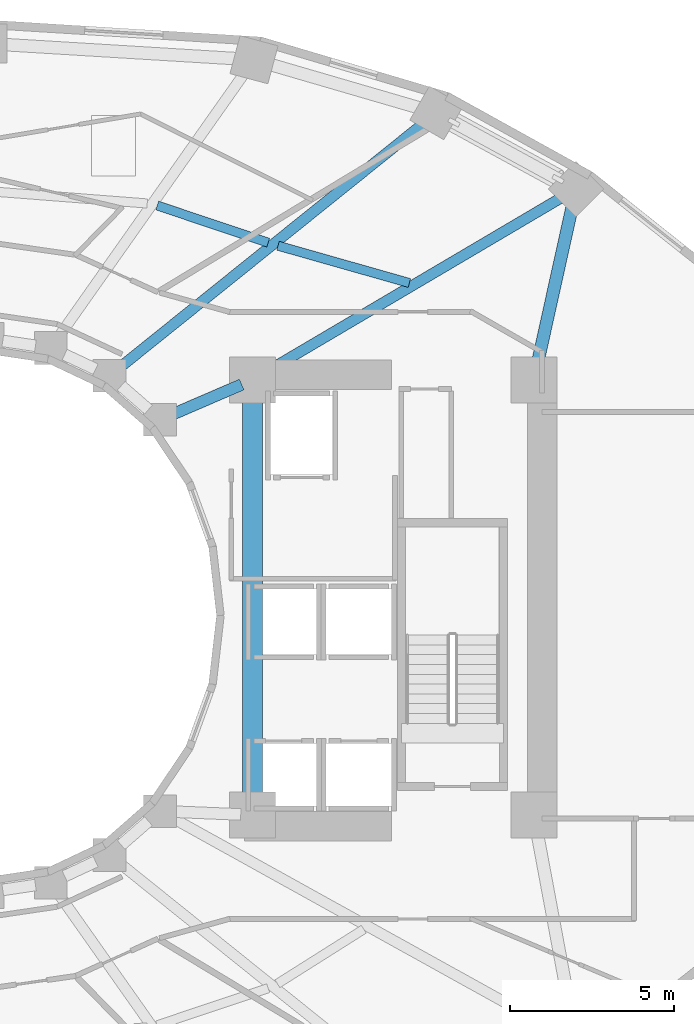
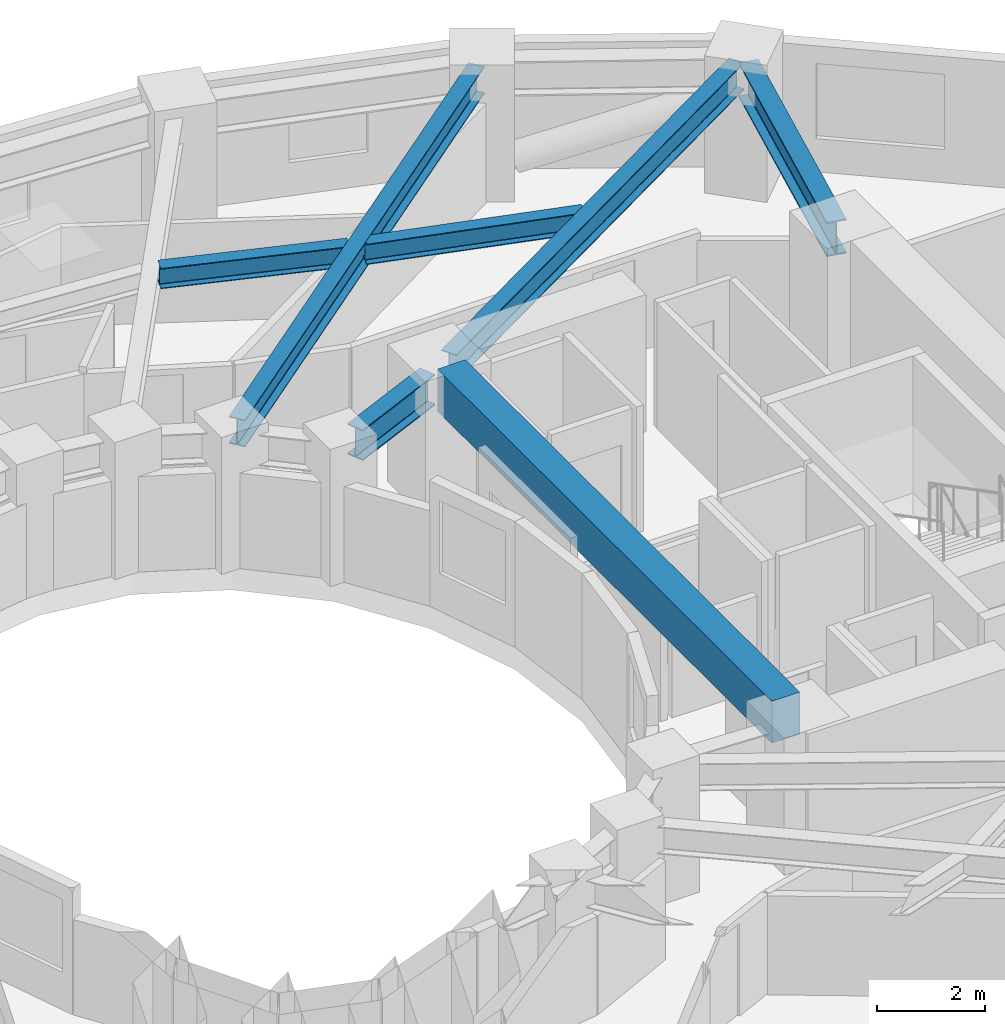
# One storey, part 4 of 15: 7 beams.
"""IFC4 building model written with IfcOpenShell, lengths in metres."""

from ifc_helpers import new_model, si_unit, direction, frame, origin, origin_2d, place, context, subcontext, project, spatial, rectangle, i_section, extrude, material, material_profile, profile_set, type_object, element, save


model = new_model("IFC4")

# Units and contexts
model_context = context("Model", 3, precision=1e-05, world=origin(), true_north=direction((0.0, 1.0)))
body_context = subcontext(model_context, "Body", "Model", "MODEL_VIEW")
ifc_project = project(units=[si_unit("LENGTHUNIT", "METRE"), si_unit("AREAUNIT", "SQUARE_METRE"), si_unit("VOLUMEUNIT", "CUBIC_METRE"), si_unit("PLANEANGLEUNIT", "RADIAN"), si_unit("MASSUNIT", "GRAM", prefix="KILO")], contexts=[model_context])

# Site, building, storey
site_placement = place(None, origin())
site = spatial("IfcSite", under=ifc_project, at=site_placement, CompositionType="ELEMENT")
building_placement = place(site_placement, origin())
building = spatial("IfcBuilding", under=site, at=building_placement, Name="Solvane Sanctuary Tower", CompositionType="ELEMENT")
storey_placement = place(building_placement, frame((0.0, 0.0, 46.199951171875)))
storey = spatial("IfcBuildingStorey", under=building, at=storey_placement, Name="L13", CompositionType="ELEMENT", Elevation=46.199951171875)

# Beams
ifc_material_1 = material(Name="Concrete C70/85", Category="concrete")
ifc_material_profile_1 = material_profile(ifc_material_1, rectangle(XDim=0.60009765625, YDim=0.949951171875, at=origin_2d()), Name="RC600X950")
ifc_profile_set_1 = profile_set([ifc_material_profile_1], Name="Concrete C70/85")
beam_type_1 = type_object("IfcBeamType", Name="Beam B-COUPLE RC600X950", PredefinedType="LINTEL", material=ifc_profile_set_1)
beam_1_placement = place(storey_placement, frame((40.10009765625, 17.35009765625, 2.625), z_axis=(0.0, 1.0, 0.0), x_axis=(-1.0, 0.0, 0.0)))
element("IfcBeam", 1, at=beam_1_placement, inside=storey, type_object=beam_type_1, Name="L13 East Core Coupling Lintel", PredefinedType="LINTEL", context=body_context, shape_type="SweptSolid", body=[
    extrude(rectangle(XDim=0.60009765625, YDim=0.949951171875, at=origin_2d()), origin(), (0.0, 0.0, 1.0), 12.39990234375),
])
ifc_material_2 = material(Name="Steel ASTM A992 Grade 50", Category="steel")
ifc_material_profile_2 = material_profile(ifc_material_2, i_section(OverallWidth=0.323974609375, OverallDepth=0.611083984375, WebThickness=0.0126953125, FlangeThickness=0.01904296875, FilletRadius=0.01611328125, at=origin_2d()), Name="W24X104")
ifc_profile_set_2 = profile_set([ifc_material_profile_2], Name="Steel ASTM A992 Grade 50")
beam_type_2 = type_object("IfcBeamType", Name="Beam B-RAD-Z1 W24X104", PredefinedType="BEAM", material=ifc_profile_set_2)
beam_2_placement = place(storey_placement, frame((40.41015625, 30.3828125, 2.572509765625), z_axis=(0.861291129905, 0.508111788435, 0.0), x_axis=(-0.508111788435, 0.861291129905, 0.0)))
element("IfcBeam", 2, at=beam_2_placement, inside=storey, type_object=beam_type_2, Name="L13 Radial Composite Floor Beam 01", PredefinedType="BEAM", context=body_context, shape_type="SweptSolid", body=[
    extrude(i_section(OverallWidth=0.323974609375, OverallDepth=0.611083984375, WebThickness=0.0126953125, FlangeThickness=0.01904296875, FilletRadius=0.01611328125, at=origin_2d()), origin(), (0.0, 0.0, 1.0), 10.844482421875),
])
beam_3_placement = place(storey_placement, frame((35.9482421875, 30.501953125, 2.572509765625), z_axis=(0.779526985436, 0.626368644631, 0.0), x_axis=(-0.626368644631, 0.779526985436, 0.0)))
element("IfcBeam", 3, at=beam_3_placement, inside=storey, type_object=beam_type_2, Name="L13 Radial Composite Floor Beam 02", PredefinedType="BEAM", context=body_context, shape_type="SweptSolid", body=[
    extrude(i_section(OverallWidth=0.323974609375, OverallDepth=0.611083984375, WebThickness=0.0126953125, FlangeThickness=0.01904296875, FilletRadius=0.01611328125, at=origin_2d()), origin(), (0.0, 0.0, 1.0), 12.2646484375),
])
ifc_material_profile_3 = material_profile(ifc_material_2, i_section(OverallWidth=0.35498046875, OverallDepth=0.695068359375, WebThickness=0.015380859375, FlangeThickness=0.02490234375, FilletRadius=0.01806640625, at=origin_2d()), Name="W27X146")
ifc_profile_set_3 = profile_set([ifc_material_profile_3], Name="Steel ASTM A992 Grade 50")
beam_type_3 = type_object("IfcBeamType", Name="Beam B-RING-IN1 W27X146", PredefinedType="BEAM", material=ifc_profile_set_3)
beam_4_placement = place(storey_placement, frame((37.70654296875, 29.168212890625, 2.530517578125), z_axis=(0.918277080365, 0.395938383687, 0.0), x_axis=(-0.395938383687, 0.918277080365, 0.0)))
element("IfcBeam", 4, at=beam_4_placement, inside=storey, type_object=beam_type_3, Name="L13 Inner Light-Well Ring Beam IC01-CE4", PredefinedType="BEAM", context=body_context, shape_type="SweptSolid", body=[
    extrude(i_section(OverallWidth=0.35498046875, OverallDepth=0.695068359375, WebThickness=0.015380859375, FlangeThickness=0.02490234375, FilletRadius=0.01806640625, at=origin_2d()), origin(), (0.0, 0.0, 1.0), 2.246337890625),
])
ifc_material_profile_4 = material_profile(ifc_material_2, i_section(OverallWidth=0.280029296875, OverallDepth=0.462890625, WebThickness=0.0107421875, FlangeThickness=0.017333984375, FilletRadius=0.013916015625, at=origin_2d()), Name="W18X76")
ifc_profile_set_4 = profile_set([ifc_material_profile_4], Name="Steel ASTM A992 Grade 50")
beam_type_4 = type_object("IfcBeamType", Name="Beam B-SEC-JOIST W18X76", PredefinedType="JOIST", material=ifc_profile_set_4)
beam_5_placement = place(storey_placement, frame((37.186767578125, 35.52880859375, 2.646484375), z_axis=(0.948259393162, -0.317496650816, 0.0), x_axis=(0.317496650816, 0.948259393162, 0.0)))
element("IfcBeam", 5, at=beam_5_placement, inside=storey, type_object=beam_type_4, Name="L13 Secondary Circumferential Joist 03-02", PredefinedType="JOIST", context=body_context, shape_type="SweptSolid", body=[
    extrude(i_section(OverallWidth=0.280029296875, OverallDepth=0.462890625, WebThickness=0.0107421875, FlangeThickness=0.017333984375, FilletRadius=0.013916015625, at=origin_2d()), origin(), (0.0, 0.0, 1.0), 3.577880859375),
])
beam_6_placement = place(storey_placement, frame((40.879638671875, 34.300048828125, 2.646484375), z_axis=(0.962003645121, -0.273036603358, 0.0), x_axis=(0.273036603358, 0.962003645121, 0.0)))
element("IfcBeam", 6, at=beam_6_placement, inside=storey, type_object=beam_type_4, Name="L13 Secondary Circumferential Joist 02-01", PredefinedType="JOIST", context=body_context, shape_type="SweptSolid", body=[
    extrude(i_section(OverallWidth=0.280029296875, OverallDepth=0.462890625, WebThickness=0.0107421875, FlangeThickness=0.017333984375, FilletRadius=0.013916015625, at=origin_2d()), origin(), (0.0, 0.0, 1.0), 4.174072265625),
])
ifc_material_profile_5 = material_profile(ifc_material_2, i_section(OverallWidth=0.382080078125, OverallDepth=0.779052734375, WebThickness=0.01806640625, FlangeThickness=0.030029296875, FilletRadius=0.02001953125, at=origin_2d()), Name="W30X191")
ifc_profile_set_5 = profile_set([ifc_material_profile_5], Name="Steel ASTM A992 Grade 50")
beam_type_5 = type_object("IfcBeamType", Name="Beam B-SPAND-Z1 W30X191", PredefinedType="SPANDREL", material=ifc_profile_set_5)
beam_7_placement = place(storey_placement, frame((49.93115234375, 35.761962890625, 2.488525390625), z_axis=(-0.216123846648, -0.976365957472, 0.0), x_axis=(0.976365957472, -0.216123846648, 0.0)))
element("IfcBeam", 7, at=beam_7_placement, inside=storey, type_object=beam_type_5, Name="L13 Perimeter Spandrel Beam TC01-CE3", PredefinedType="SPANDREL", context=body_context, shape_type="SweptSolid", body=[
    extrude(i_section(OverallWidth=0.382080078125, OverallDepth=0.779052734375, WebThickness=0.01806640625, FlangeThickness=0.030029296875, FilletRadius=0.02001953125, at=origin_2d()), origin(), (0.0, 0.0, 1.0), 5.41650390625),
])

save(model, "model.ifc")
